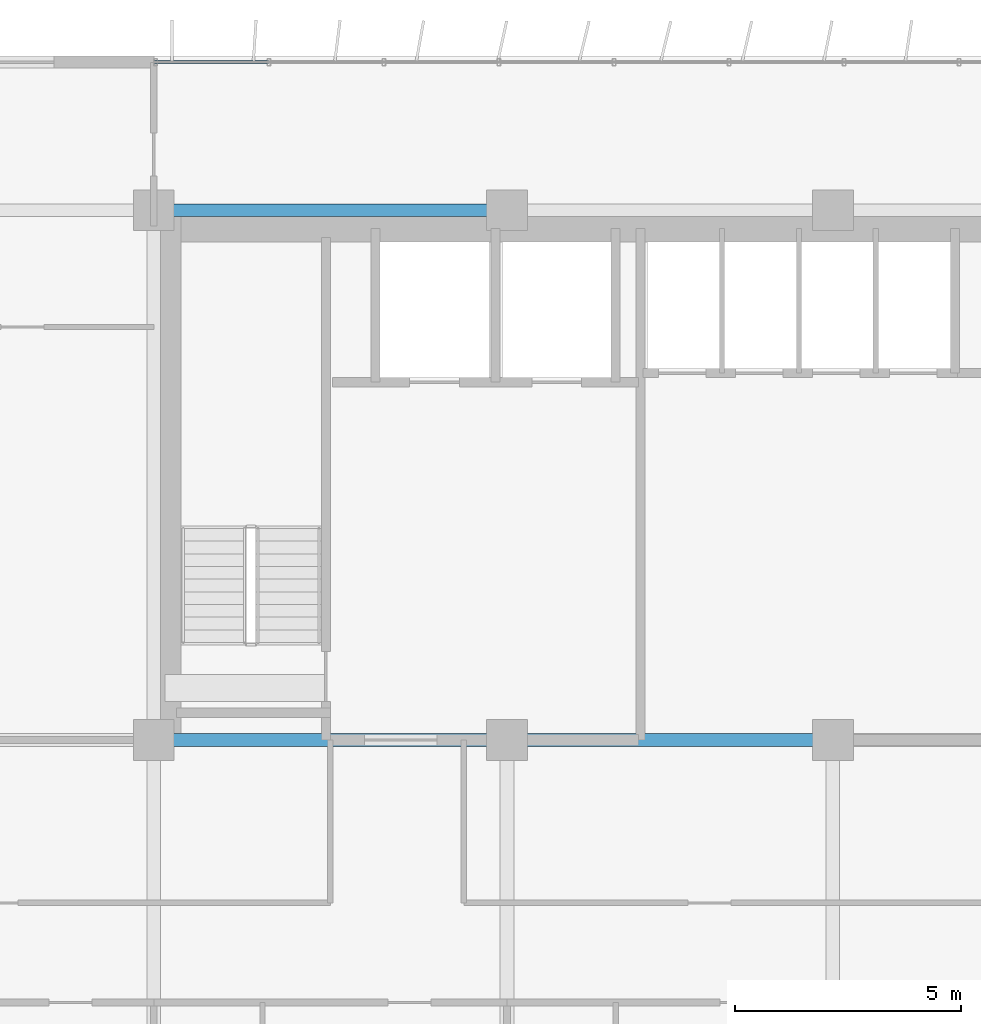
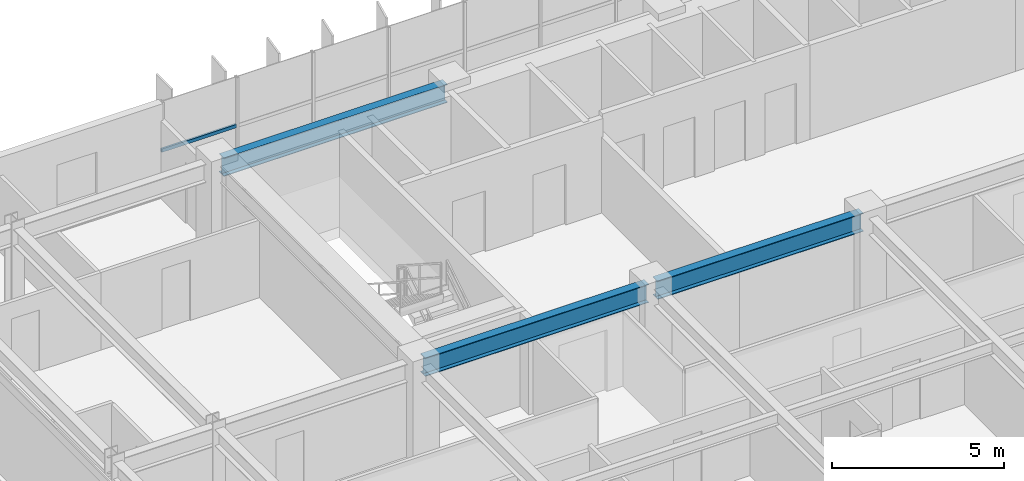
# One storey, part 5 of 26: 3 beams, 1 member, 1 element without a shape of its own.
"""IFC4 building model written with IfcOpenShell, lengths in metres."""

from ifc_helpers import new_model, si_unit, direction, frame, origin, origin_2d, place, context, subcontext, project, spatial, hollow_rectangle, i_section, extrude, source, transform, mapped, material, material_profile, profile_set, type_object, element, aggregate, save


model = new_model("IFC4")

# Units and contexts
model_context = context("Model", 3, precision=1e-05, world=origin(), true_north=direction((0.0, 1.0)))
body_context = subcontext(model_context, "Body", "Model", "MODEL_VIEW")
ifc_project = project(units=[si_unit("LENGTHUNIT", "METRE"), si_unit("AREAUNIT", "SQUARE_METRE"), si_unit("VOLUMEUNIT", "CUBIC_METRE"), si_unit("PLANEANGLEUNIT", "RADIAN"), si_unit("MASSUNIT", "GRAM", prefix="KILO")], contexts=[model_context])

# Site, building, storey
site_placement = place(None, origin())
site = spatial("IfcSite", under=ifc_project, at=site_placement, CompositionType="ELEMENT")
building_placement = place(site_placement, origin())
building = spatial("IfcBuilding", under=site, at=building_placement, Name="Trelvane Seafront Commons", CompositionType="ELEMENT")
storey_placement = place(building_placement, frame((0.0, 0.0, 23.5)))
storey = spatial("IfcBuildingStorey", under=building, at=storey_placement, Name="L05", CompositionType="ELEMENT", Elevation=23.5)

# Beams
ifc_material_1 = material(Name="Steel SM355 (S355)", Category="steel")
ifc_material_profile_1 = material_profile(ifc_material_1, i_section(OverallWidth=0.280029296875, OverallDepth=0.64990234375, WebThickness=0.012939453125, FlangeThickness=0.02197265625, at=origin_2d()), Name="H-650x280x13x22")
ifc_profile_set_1 = profile_set([ifc_material_profile_1], Name="Steel SM355 (S355)")
beam_type = type_object("IfcBeamType", Name="STR-BM-H650", PredefinedType="BEAM", material=ifc_profile_set_1)
shared_shape_1 = source(origin(), body_context, "Body", "SweptSolid", [
    extrude(i_section(OverallWidth=0.280029296875, OverallDepth=0.64990234375, WebThickness=0.012939453125, FlangeThickness=0.02197265625, at=origin_2d()), origin(), (0.0, 0.0, 1.0), 7.5),
])
for number, where, z_axis, x_axis, name in (
    (1, (15.75, 33.39990234375, 3.014892578125), (1.0, 0.0, 0.0), (0.0, 1.0, 0.0), "L05 Primary Girder G-21"),
    (2, (15.75, 45.10009765625, 3.014892578125), (1.0, 0.0, 0.0), (0.0, 1.0, 0.0), "L05 Primary Girder G-30"),
):
    element("IfcBeam", number, at=place(storey_placement, frame(where, z_axis=z_axis, x_axis=x_axis)), inside=storey, type_object=beam_type, Name=name, PredefinedType="BEAM", context=body_context, shape_type="MappedRepresentation", body=[
        mapped(shared_shape_1, transform((0.0, 0.0, 0.0), x_axis=(1.0, 0.0, 0.0), y_axis=(0.0, 1.0, 0.0), z_axis=(0.0, 0.0, 1.0), scale=1.0)),
    ])
shared_shape_2 = source(origin(), body_context, "Body", "SweptSolid", [
    extrude(i_section(OverallWidth=0.280029296875, OverallDepth=0.64990234375, WebThickness=0.012939453125, FlangeThickness=0.02197265625, at=origin_2d()), origin(), (0.0, 0.0, 1.0), 6.89990234375),
])
beam_placement = place(storey_placement, frame((23.550048828125, 33.39990234375, 3.014892578125), z_axis=(1.0, 0.0, 0.0), x_axis=(0.0, 1.0, 0.0)))
element("IfcBeam", 3, at=beam_placement, inside=storey, type_object=beam_type, Name="L05 Primary Girder G-22", PredefinedType="BEAM", context=body_context, shape_type="MappedRepresentation", body=[
    mapped(shared_shape_2, transform((0.0, 0.0, 0.0), x_axis=(1.0, 0.0, 0.0), y_axis=(0.0, 1.0, 0.0), z_axis=(0.0, 0.0, 1.0), scale=1.0)),
])

# Curtain wall, member
ifc_material_2 = material(Name="Anodised pale-silver aluminium", Category="aluminium")
curtain_wall_type = type_object("IfcCurtainWallType", Name="ARCH-CW2-LOWTOWER", PredefinedType="NOTDEFINED", material=ifc_material_2)
curtain_wall_placement = place(storey_placement, origin())
curtain_wall = element("IfcCurtainWall", 4, at=curtain_wall_placement, inside=storey, type_object=curtain_wall_type, Name="CW-L05-0029", PredefinedType="NOTDEFINED")
ifc_material_profile_2 = material_profile(ifc_material_2, hollow_rectangle(XDim=0.070068359375, YDim=0.1201171875, WallThickness=0.00390625, at=origin_2d()), Name="TRAN-70x120x4")
ifc_profile_set_2 = profile_set([ifc_material_profile_2], Name="Anodised pale-silver aluminium")
member_type = type_object("IfcMemberType", Name="ARCH-CW-TRAN-120", PredefinedType="USERDEFINED", material=ifc_profile_set_2)
shared_shape_3 = source(origin(), body_context, "Body", "SweptSolid", [
    extrude(hollow_rectangle(XDim=0.070068359375, YDim=0.1201171875, WallThickness=0.00390625, at=origin_2d()), origin(), (0.0, 0.0, 1.0), 2.51708984375),
])
member_placement = place(storey_placement, frame((15.612060546875, 48.3701171875, 1.60302734375), z_axis=(1.0, 0.0, 0.0), x_axis=(0.0, 1.0, 0.0)))
member = element("IfcMember", 5, at=member_placement, type_object=member_type, Name="CW-L05-0029-T00", ObjectType="TRANSOM", PredefinedType="USERDEFINED", context=body_context, shape_type="MappedRepresentation", body=[
    mapped(shared_shape_3, transform((0.0, 0.0, 0.0), x_axis=(1.0, 0.0, 0.0), y_axis=(0.0, 1.0, 0.0), z_axis=(0.0, 0.0, 1.0), scale=1.0)),
])
aggregate(curtain_wall, [member])

save(model, "model.ifc")
